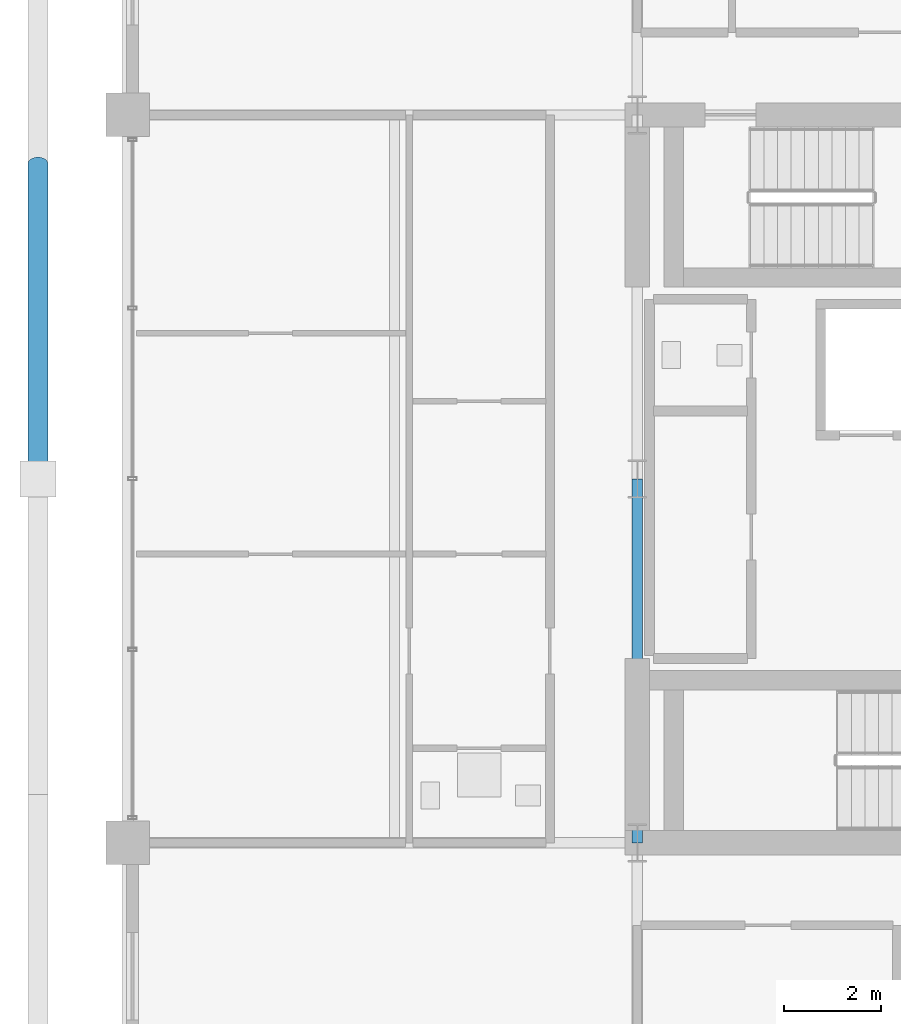
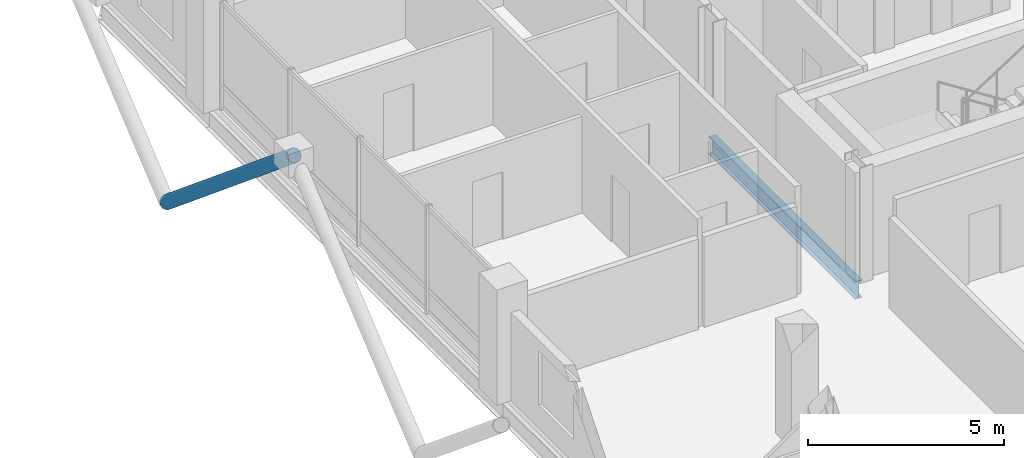
# One storey, part 8 of 23: 1 beam, 1 member.
"""IFC4 building model written with IfcOpenShell, lengths in metres."""

from ifc_helpers import new_model, si_unit, direction, frame, origin, origin_2d, place, context, subcontext, project, spatial, hollow_circle, i_section, extrude, material, material_profile, profile_set, type_object, element, save


model = new_model("IFC4")

# Units and contexts
model_context = context("Model", 3, precision=1e-05, world=origin(), true_north=direction((0.0, 1.0)))
body_context = subcontext(model_context, "Body", "Model", "MODEL_VIEW")
ifc_project = project(units=[si_unit("LENGTHUNIT", "METRE"), si_unit("AREAUNIT", "SQUARE_METRE"), si_unit("VOLUMEUNIT", "CUBIC_METRE"), si_unit("PLANEANGLEUNIT", "RADIAN"), si_unit("MASSUNIT", "GRAM", prefix="KILO")], contexts=[model_context])

# Site, building, storey
site_placement = place(None, origin())
site = spatial("IfcSite", under=ifc_project, at=site_placement, CompositionType="ELEMENT")
building_placement = place(site_placement, origin())
building = spatial("IfcBuilding", under=site, at=building_placement, Name="Barlavira Tower and Art Museum", CompositionType="ELEMENT")
storey_placement = place(building_placement, frame((0.0, 0.0, 247.5)))
storey = spatial("IfcBuildingStorey", under=building, at=storey_placement, Name="L64", CompositionType="ELEMENT", Elevation=247.5)

# Member
ifc_material = material(Name="Steel S355", Category="steel")
ifc_material_profile_1 = material_profile(ifc_material, hollow_circle(Radius=0.203125, WallThickness=0.01611328125, at=origin_2d()), Name="CHS 406.4x16.0")
ifc_profile_set_1 = profile_set([ifc_material_profile_1], Name="Steel S355")
member_type = type_object("IfcMemberType", Name="Pale-Metal Exoskeleton Diagrid Tube CHS 406x16 Steel S355", PredefinedType="BRACE", material=ifc_profile_set_1)
member_placement = place(storey_placement, frame((-18.85009765625, 6.5, -1.919921875), z_axis=(0.0, -0.769196053329, 0.639012857104), x_axis=(1.0, 0.0, 0.0)))
element("IfcMember", 1, at=member_placement, inside=storey, type_object=member_type, Name="L64 Exoskeleton Diagrid Tube W", PredefinedType="BRACE", context=body_context, shape_type="SweptSolid", body=[
    extrude(hollow_circle(Radius=0.203125, WallThickness=0.01611328125, at=origin_2d()), origin(), (0.0, 0.0, 1.0), 8.450439453125),
])

# Beam
ifc_material_profile_2 = material_profile(ifc_material, i_section(OverallWidth=0.2109375, OverallDepth=0.5390625, WebThickness=0.01171875, FlangeThickness=0.018798828125, at=origin_2d()), Name="W530x109.0")
ifc_profile_set_2 = profile_set([ifc_material_profile_2], Name="Steel S355")
beam_type = type_object("IfcBeamType", Name="Zone 3-4 Primary Floor Girder W530x109 Steel S355", PredefinedType="BEAM", material=ifc_profile_set_2)
beam_placement = place(storey_placement, frame((-6.5, -7.5, -0.489501953125), z_axis=(0.0, 1.0, 0.0), x_axis=(-1.0, 0.0, 0.0)))
element("IfcBeam", 2, at=beam_placement, inside=storey, type_object=beam_type, Name="L64 Girder C-W1", PredefinedType="BEAM", context=body_context, shape_type="SweptSolid", body=[
    extrude(i_section(OverallWidth=0.2109375, OverallDepth=0.5390625, WebThickness=0.01171875, FlangeThickness=0.018798828125, at=origin_2d()), origin(), (0.0, 0.0, 1.0), 7.5),
])

save(model, "model.ifc")
